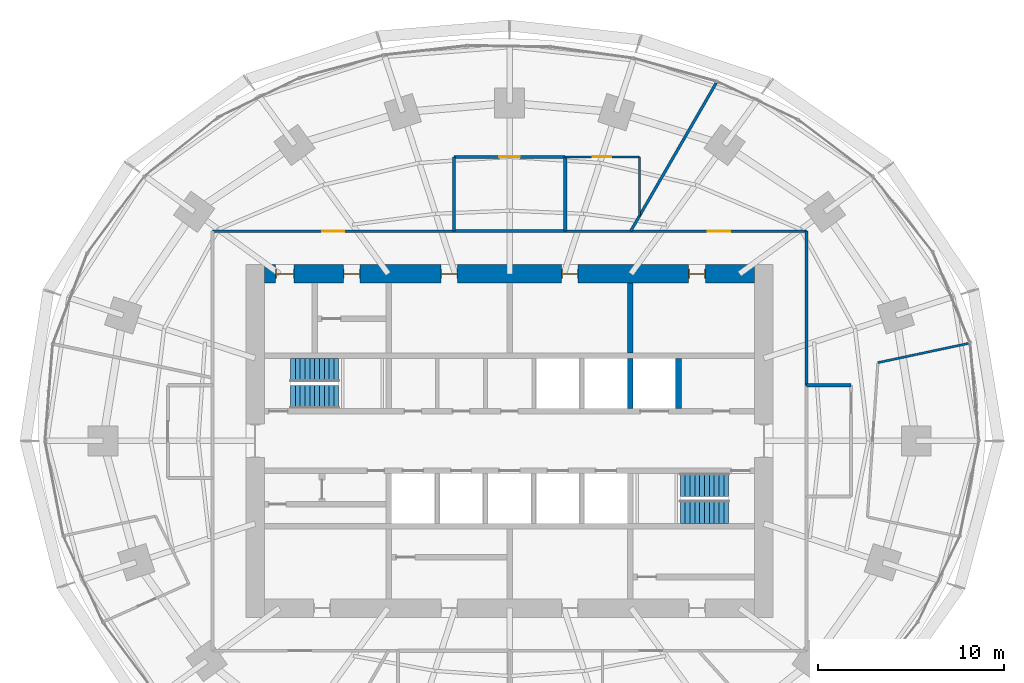
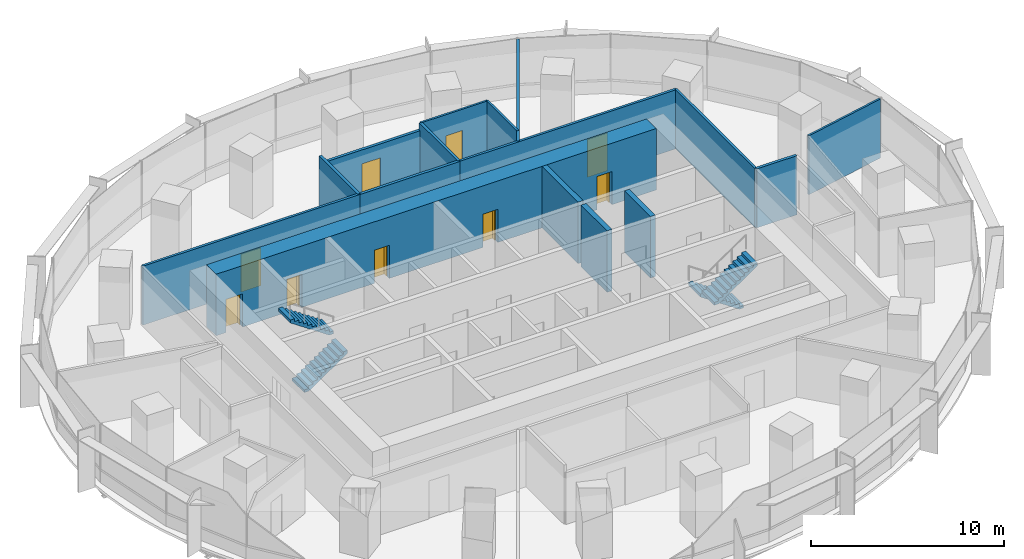
# One storey, part 12 of 14: 16 walls, 9 doors, 4 stair flights, 9 openings, 2 elements without a shape of their own.
"""IFC4 building model written with IfcOpenShell, lengths in metres."""

from ifc_helpers import new_model, si_unit, direction, frame, frame_2d, origin, place, context, subcontext, project, spatial, polyline, rectangle, outline, extrude, material, layer, layer_set, type_object, element, fill, aggregate, save


model = new_model("IFC4")

# Units and contexts
model_context = context("Model", 3, precision=1e-05, world=origin(), true_north=direction((0.0, 1.0)))
body_context = subcontext(model_context, "Body", "Model", "MODEL_VIEW")
ifc_project = project(units=[si_unit("LENGTHUNIT", "METRE"), si_unit("AREAUNIT", "SQUARE_METRE"), si_unit("VOLUMEUNIT", "CUBIC_METRE"), si_unit("PLANEANGLEUNIT", "RADIAN"), si_unit("MASSUNIT", "GRAM", prefix="KILO")], contexts=[model_context])

# Site, building, storey
site_placement = place(None, origin())
site = spatial("IfcSite", under=ifc_project, at=site_placement, CompositionType="ELEMENT")
building_placement = place(site_placement, origin())
building = spatial("IfcBuilding", under=site, at=building_placement, Name="Marramba Exchange Tower", CompositionType="ELEMENT")
storey_placement = place(building_placement, frame((0.0, 0.0, 115.800048828125)))
storey = spatial("IfcBuildingStorey", under=building, at=storey_placement, Name="L27", CompositionType="ELEMENT", Elevation=115.800048828125)

# Walls
ifc_material_1 = material(Name="Plasterboard on staggered double steel studs, acoustic insulation", Category="steel")
ifc_layer_1 = layer(ifc_material_1, 0.169921875)
ifc_layer_set_1 = layer_set([ifc_layer_1], Name="Acoustic partition 170")
wall_type_1 = type_object("IfcWallType", Name="Acoustic partition 170", PredefinedType="PARTITIONING", material=ifc_layer_set_1)
wall_1_placement = place(storey_placement, frame((18.39990234375, 3.0, 0.0), z_axis=(0.0, 0.0, 1.0), x_axis=(-1.0, 0.0, 0.0)))
element("IfcWall", 1, at=wall_1_placement, inside=storey, type_object=wall_type_1, Name="Acoustic partition L27 22", PredefinedType="PARTITIONING", context=body_context, shape_type="SweptSolid", body=[
    extrude(rectangle(XDim=2.39990234375, YDim=0.169921875, at=frame_2d((1.199951171875, 0.0))), origin(), (0.0, 0.0, 1.0), 3.739990234375),
])
wall_2_placement = place(storey_placement, frame((3.0, 15.300048828125, 0.0), z_axis=(0.0, 0.0, 1.0), x_axis=(0.0, -1.0, 0.0)))
element("IfcWall", 2, at=wall_2_placement, inside=storey, type_object=wall_type_1, Name="Acoustic partition L27 29", PredefinedType="PARTITIONING", context=body_context, shape_type="SweptSolid", body=[
    extrude(rectangle(XDim=4.0, YDim=0.169921875, at=frame_2d((2.0, 0.0))), origin(), (0.0, 0.0, 1.0), 3.739990234375),
])
wall_3_placement = place(storey_placement, frame((-3.0, 11.300048828125, 0.0), z_axis=(0.0, 0.0, 1.0), x_axis=(1.0, 0.0, 0.0)))
element("IfcWall", 3, at=wall_3_placement, inside=storey, type_object=wall_type_1, Name="Acoustic partition L27 30", PredefinedType="PARTITIONING", context=body_context, shape_type="SweptSolid", body=[
    extrude(rectangle(XDim=6.0, YDim=0.169921875, at=frame_2d((3.0, 0.0))), origin(), (0.0, 0.0, 1.0), 3.739990234375),
])

# Wall, opening, door
wall_4_placement = place(storey_placement, frame((3.0, 15.300048828125, 0.0), z_axis=(0.0, 0.0, 1.0), x_axis=(-1.0, 0.0, 0.0)))
wall_4 = element("IfcWall", 4, at=wall_4_placement, inside=storey, type_object=wall_type_1, Name="Acoustic partition L27 31", PredefinedType="PARTITIONING", context=body_context, shape_type="SweptSolid", body=[
    extrude(rectangle(XDim=6.0, YDim=0.169921875, at=frame_2d((3.0, 0.0))), origin(), (0.0, 0.0, 1.0), 3.285888671875),
])
opening_1_placement = place(wall_4_placement, frame((2.449951171875, 0.0, 0.0)))
opening_1 = element("IfcOpeningElement", 5, at=opening_1_placement, cuts=wall_4, Name="Opening D15", PredefinedType="OPENING", context=body_context, shape_type="SweptSolid", body=[
    extrude(rectangle(XDim=1.10009765625, YDim=2.39990234375, at=frame_2d((0.550048828125, 1.199951171875))), frame((0.0, 0.094970703125, 0.0), z_axis=(0.0, -1.0, 0.0), x_axis=(1.0, 0.0, 0.0)), (0.0, 0.0, 1.0), 0.18994140625),
])
ifc_material_2 = material(Name="Timber door", Category="wood")
door_type_1 = type_object("IfcDoorType", Name="Glazed meeting room door 1100x2400", OperationType="SINGLE_SWING_LEFT", PredefinedType="DOOR", material=ifc_material_2)
door_1_placement = place(opening_1_placement, origin())
door_1 = element("IfcDoor", 6, at=door_1_placement, inside=storey, type_object=door_type_1, Name="D15 Meeting Room 2 L27", OperationType="SINGLE_SWING_RIGHT", OverallHeight=2.39990234375, OverallWidth=1.10009765625, PredefinedType="DOOR", context=body_context, shape_type="SweptSolid", body=[
    extrude(rectangle(XDim=1.10009765625, YDim=2.39990234375, at=frame_2d((0.550048828125, 1.199951171875))), frame((0.0, 0.02490234375, 0.0), z_axis=(0.0, -1.0, 0.0), x_axis=(1.0, 0.0, 0.0)), (0.0, 0.0, 1.0), 0.050048828125),
])
fill(opening_1, door_1)

# Wall
wall_5_placement = place(storey_placement, frame((-3.0, 15.300048828125, 0.0), z_axis=(0.0, 0.0, 1.0), x_axis=(0.0, -1.0, 0.0)))
element("IfcWall", 7, at=wall_5_placement, inside=storey, type_object=wall_type_1, Name="Acoustic partition L27 32", PredefinedType="PARTITIONING", context=body_context, shape_type="SweptSolid", body=[
    extrude(rectangle(XDim=4.0, YDim=0.169921875, at=frame_2d((2.0, 0.0))), origin(), (0.0, 0.0, 1.0), 3.739990234375),
])

# Wall, openings, doors
ifc_material_3 = material(Name="Concrete N50", Category="concrete")
ifc_layer_2 = layer(ifc_material_3, 1.0)
ifc_layer_set_2 = layer_set([ifc_layer_2], Name="Core wall 1000")
wall_type_2 = type_object("IfcWallType", Name="Core wall 1000", PredefinedType="SHEAR", material=ifc_layer_set_2)
wall_6_placement = place(storey_placement, frame((13.199951171875, 9.0, 0.0), z_axis=(0.0, 0.0, 1.0), x_axis=(-1.0, 0.0, 0.0)))
wall_6 = element("IfcWall", 8, at=wall_6_placement, inside=storey, type_object=wall_type_2, Name="Core wall N L27", PredefinedType="SHEAR", context=body_context, shape_type="SweptSolid", body=[
    extrude(rectangle(XDim=26.39990234375, YDim=1.0, at=frame_2d((13.199951171875, 0.0))), origin(), (0.0, 0.0, 1.0), 3.89990234375),
])
opening_2_placement = place(wall_6_placement, frame((2.64990234375, 0.0, 0.0)))
opening_2 = element("IfcOpeningElement", 9, at=opening_2_placement, cuts=wall_6, Name="Opening D5", PredefinedType="OPENING", context=body_context, shape_type="SweptSolid", body=[
    extrude(rectangle(XDim=0.89990234375, YDim=2.10009765625, at=frame_2d((0.449951171875, 1.050048828125))), frame((0.0, 0.510009765625, 0.0), z_axis=(0.0, -1.0, 0.0), x_axis=(1.0, 0.0, 0.0)), (0.0, 0.0, 1.0), 1.02001953125),
])
opening_3_placement = place(wall_6_placement, frame((9.5, 0.0, 0.0)))
opening_3 = element("IfcOpeningElement", 10, at=opening_3_placement, cuts=wall_6, Name="Opening D3", PredefinedType="OPENING", context=body_context, shape_type="SweptSolid", body=[
    extrude(rectangle(XDim=0.89990234375, YDim=2.10009765625, at=frame_2d((0.449951171875, 1.050048828125))), frame((0.0, 0.510009765625, 0.0), z_axis=(0.0, -1.0, 0.0), x_axis=(1.0, 0.0, 0.0)), (0.0, 0.0, 1.0), 1.02001953125),
])
opening_4_placement = place(wall_6_placement, frame((16.0, 0.0, 0.0)))
opening_4 = element("IfcOpeningElement", 11, at=opening_4_placement, cuts=wall_6, Name="Opening D3", PredefinedType="OPENING", context=body_context, shape_type="SweptSolid", body=[
    extrude(rectangle(XDim=0.89990234375, YDim=2.10009765625, at=frame_2d((0.449951171875, 1.050048828125))), frame((0.0, 0.510009765625, 0.0), z_axis=(0.0, -1.0, 0.0), x_axis=(1.0, 0.0, 0.0)), (0.0, 0.0, 1.0), 1.02001953125),
])
opening_5_placement = place(wall_6_placement, frame((21.25, 0.0, 0.0)))
opening_5 = element("IfcOpeningElement", 12, at=opening_5_placement, cuts=wall_6, Name="Opening D5", PredefinedType="OPENING", context=body_context, shape_type="SweptSolid", body=[
    extrude(rectangle(XDim=0.89990234375, YDim=2.10009765625, at=frame_2d((0.449951171875, 1.050048828125))), frame((0.0, 0.510009765625, 0.0), z_axis=(0.0, -1.0, 0.0), x_axis=(1.0, 0.0, 0.0)), (0.0, 0.0, 1.0), 1.02001953125),
])
opening_6_placement = place(wall_6_placement, frame((24.800048828125, 0.0, 0.0)))
opening_6 = element("IfcOpeningElement", 13, at=opening_6_placement, cuts=wall_6, Name="Opening D4", PredefinedType="OPENING", context=body_context, shape_type="SweptSolid", body=[
    extrude(rectangle(XDim=1.0, YDim=2.10009765625, at=frame_2d((0.5, 1.050048828125))), frame((0.0, 0.510009765625, 0.0), z_axis=(0.0, -1.0, 0.0), x_axis=(1.0, 0.0, 0.0)), (0.0, 0.0, 1.0), 1.02001953125),
])
ifc_material_4 = material(Name="Steel-framed door", Category="steel")
door_type_2 = type_object("IfcDoorType", Name="Accessible toilet door 1000x2100", OperationType="SINGLE_SWING_LEFT", PredefinedType="DOOR", material=ifc_material_4)
door_2_placement = place(opening_6_placement, origin())
door_2 = element("IfcDoor", 14, at=door_2_placement, inside=storey, type_object=door_type_2, Name="D4 awc L27", OperationType="SINGLE_SWING_RIGHT", OverallHeight=2.10009765625, OverallWidth=1.0, PredefinedType="DOOR", context=body_context, shape_type="SweptSolid", body=[
    extrude(rectangle(XDim=0.919921875, YDim=2.06005859375, at=frame_2d((0.5, 1.030029296875))), frame((0.0, 0.02490234375, 0.0), z_axis=(0.0, -1.0, 0.0), x_axis=(1.0, 0.0, 0.0)), (0.0, 0.0, 1.0), 0.050048828125),
    extrude(rectangle(XDim=0.04, YDim=2.10009765625, at=frame_2d((0.02001953125, 1.050048828125))), frame((0.0, 0.25, 0.0), z_axis=(0.0, -1.0, 0.0), x_axis=(1.0, 0.0, 0.0)), (0.0, 0.0, 1.0), 0.5),
    extrude(rectangle(XDim=0.04, YDim=2.10009765625, at=frame_2d((0.97998046875, 1.050048828125))), frame((0.0, 0.25, 0.0), z_axis=(0.0, -1.0, 0.0), x_axis=(1.0, 0.0, 0.0)), (0.0, 0.0, 1.0), 0.5),
    extrude(rectangle(XDim=0.919921875, YDim=0.04, at=frame_2d((0.5, 2.080078125))), frame((0.0, 0.25, 0.0), z_axis=(0.0, -1.0, 0.0), x_axis=(1.0, 0.0, 0.0)), (0.0, 0.0, 1.0), 0.5),
])
fill(opening_6, door_2)
door_type_3 = type_object("IfcDoorType", Name="Service door 900x2100", OperationType="SINGLE_SWING_LEFT", PredefinedType="DOOR", material=ifc_material_4)
door_3_placement = place(opening_2_placement, origin())
door_3 = element("IfcDoor", 15, at=door_3_placement, inside=storey, type_object=door_type_3, Name="D5 comms L27", OperationType="SINGLE_SWING_LEFT", OverallHeight=2.10009765625, OverallWidth=0.89990234375, PredefinedType="DOOR", context=body_context, shape_type="SweptSolid", body=[
    extrude(rectangle(XDim=0.81982421875, YDim=2.06005859375, at=frame_2d((0.449951171875, 1.030029296875))), frame((0.0, 0.02490234375, 0.0), z_axis=(0.0, -1.0, 0.0), x_axis=(1.0, 0.0, 0.0)), (0.0, 0.0, 1.0), 0.050048828125),
    extrude(rectangle(XDim=0.04, YDim=2.10009765625, at=frame_2d((0.02001953125, 1.050048828125))), frame((0.0, 0.25, 0.0), z_axis=(0.0, -1.0, 0.0), x_axis=(1.0, 0.0, 0.0)), (0.0, 0.0, 1.0), 0.5),
    extrude(rectangle(XDim=0.04, YDim=2.10009765625, at=frame_2d((0.8798828125, 1.050048828125))), frame((0.0, 0.25, 0.0), z_axis=(0.0, -1.0, 0.0), x_axis=(1.0, 0.0, 0.0)), (0.0, 0.0, 1.0), 0.5),
    extrude(rectangle(XDim=0.81982421875, YDim=0.04, at=frame_2d((0.449951171875, 2.080078125))), frame((0.0, 0.25, 0.0), z_axis=(0.0, -1.0, 0.0), x_axis=(1.0, 0.0, 0.0)), (0.0, 0.0, 1.0), 0.5),
])
fill(opening_2, door_3)
door_4_placement = place(opening_5_placement, origin())
door_4 = element("IfcDoor", 16, at=door_4_placement, inside=storey, type_object=door_type_3, Name="D5 cleaner L27", OperationType="SINGLE_SWING_RIGHT", OverallHeight=2.10009765625, OverallWidth=0.89990234375, PredefinedType="DOOR", context=body_context, shape_type="SweptSolid", body=[
    extrude(rectangle(XDim=0.81982421875, YDim=2.06005859375, at=frame_2d((0.449951171875, 1.030029296875))), frame((0.0, 0.02490234375, 0.0), z_axis=(0.0, -1.0, 0.0), x_axis=(1.0, 0.0, 0.0)), (0.0, 0.0, 1.0), 0.050048828125),
    extrude(rectangle(XDim=0.04, YDim=2.10009765625, at=frame_2d((0.02001953125, 1.050048828125))), frame((0.0, 0.25, 0.0), z_axis=(0.0, -1.0, 0.0), x_axis=(1.0, 0.0, 0.0)), (0.0, 0.0, 1.0), 0.5),
    extrude(rectangle(XDim=0.04, YDim=2.10009765625, at=frame_2d((0.8798828125, 1.050048828125))), frame((0.0, 0.25, 0.0), z_axis=(0.0, -1.0, 0.0), x_axis=(1.0, 0.0, 0.0)), (0.0, 0.0, 1.0), 0.5),
    extrude(rectangle(XDim=0.81982421875, YDim=0.04, at=frame_2d((0.449951171875, 2.080078125))), frame((0.0, 0.25, 0.0), z_axis=(0.0, -1.0, 0.0), x_axis=(1.0, 0.0, 0.0)), (0.0, 0.0, 1.0), 0.5),
])
fill(opening_5, door_4)
door_type_4 = type_object("IfcDoorType", Name="Toilet door 900x2100", OperationType="SINGLE_SWING_LEFT", PredefinedType="DOOR", material=ifc_material_4)
door_5_placement = place(opening_3_placement, origin())
door_5 = element("IfcDoor", 17, at=door_5_placement, inside=storey, type_object=door_type_4, Name="D3 wc-f L27", OperationType="SINGLE_SWING_RIGHT", OverallHeight=2.10009765625, OverallWidth=0.89990234375, PredefinedType="DOOR", context=body_context, shape_type="SweptSolid", body=[
    extrude(rectangle(XDim=0.81982421875, YDim=2.06005859375, at=frame_2d((0.449951171875, 1.030029296875))), frame((0.0, 0.02490234375, 0.0), z_axis=(0.0, -1.0, 0.0), x_axis=(1.0, 0.0, 0.0)), (0.0, 0.0, 1.0), 0.050048828125),
    extrude(rectangle(XDim=0.04, YDim=2.10009765625, at=frame_2d((0.02001953125, 1.050048828125))), frame((0.0, 0.25, 0.0), z_axis=(0.0, -1.0, 0.0), x_axis=(1.0, 0.0, 0.0)), (0.0, 0.0, 1.0), 0.5),
    extrude(rectangle(XDim=0.04, YDim=2.10009765625, at=frame_2d((0.8798828125, 1.050048828125))), frame((0.0, 0.25, 0.0), z_axis=(0.0, -1.0, 0.0), x_axis=(1.0, 0.0, 0.0)), (0.0, 0.0, 1.0), 0.5),
    extrude(rectangle(XDim=0.81982421875, YDim=0.04, at=frame_2d((0.449951171875, 2.080078125))), frame((0.0, 0.25, 0.0), z_axis=(0.0, -1.0, 0.0), x_axis=(1.0, 0.0, 0.0)), (0.0, 0.0, 1.0), 0.5),
])
fill(opening_3, door_5)
door_6_placement = place(opening_4_placement, origin())
door_6 = element("IfcDoor", 18, at=door_6_placement, inside=storey, type_object=door_type_4, Name="D3 wc-m L27", OperationType="SINGLE_SWING_RIGHT", OverallHeight=2.10009765625, OverallWidth=0.89990234375, PredefinedType="DOOR", context=body_context, shape_type="SweptSolid", body=[
    extrude(rectangle(XDim=0.81982421875, YDim=2.06005859375, at=frame_2d((0.449951171875, 1.030029296875))), frame((0.0, 0.02490234375, 0.0), z_axis=(0.0, -1.0, 0.0), x_axis=(1.0, 0.0, 0.0)), (0.0, 0.0, 1.0), 0.050048828125),
    extrude(rectangle(XDim=0.04, YDim=2.10009765625, at=frame_2d((0.02001953125, 1.050048828125))), frame((0.0, 0.25, 0.0), z_axis=(0.0, -1.0, 0.0), x_axis=(1.0, 0.0, 0.0)), (0.0, 0.0, 1.0), 0.5),
    extrude(rectangle(XDim=0.04, YDim=2.10009765625, at=frame_2d((0.8798828125, 1.050048828125))), frame((0.0, 0.25, 0.0), z_axis=(0.0, -1.0, 0.0), x_axis=(1.0, 0.0, 0.0)), (0.0, 0.0, 1.0), 0.5),
    extrude(rectangle(XDim=0.81982421875, YDim=0.04, at=frame_2d((0.449951171875, 2.080078125))), frame((0.0, 0.25, 0.0), z_axis=(0.0, -1.0, 0.0), x_axis=(1.0, 0.0, 0.0)), (0.0, 0.0, 1.0), 0.5),
])
fill(opening_4, door_6)

# Walls
ifc_layer_3 = layer(ifc_material_3, 0.300048828125)
ifc_layer_set_3 = layer_set([ifc_layer_3], Name="Core wall 300")
wall_type_3 = type_object("IfcWallType", Name="Core wall 300", PredefinedType="SHEAR", material=ifc_layer_set_3)
wall_7_placement = place(storey_placement, frame((6.5, 1.75, 0.0), z_axis=(0.0, 0.0, 1.0), x_axis=(0.0, 1.0, 0.0)))
element("IfcWall", 19, at=wall_7_placement, inside=storey, type_object=wall_type_3, Name="Core wall X1Na L27", PredefinedType="SHEAR", context=body_context, shape_type="SweptSolid", body=[
    extrude(rectangle(XDim=2.699951171875, YDim=0.300048828125, at=frame_2d((1.35009765625, 0.0))), origin(), (0.0, 0.0, 1.0), 3.89990234375),
])
wall_8_placement = place(storey_placement, frame((6.5, 4.75, 0.0), z_axis=(0.0, 0.0, 1.0), x_axis=(0.0, 1.0, 0.0)))
element("IfcWall", 20, at=wall_8_placement, inside=storey, type_object=wall_type_3, Name="Core wall X1Nb L27", PredefinedType="SHEAR", context=body_context, shape_type="SweptSolid", body=[
    extrude(rectangle(XDim=3.75, YDim=0.300048828125, at=frame_2d((1.875, 0.0))), origin(), (0.0, 0.0, 1.0), 3.89990234375),
])
wall_9_placement = place(storey_placement, frame((9.10009765625, 1.75, 0.0), z_axis=(0.0, 0.0, 1.0), x_axis=(0.0, 1.0, 0.0)))
element("IfcWall", 21, at=wall_9_placement, inside=storey, type_object=wall_type_3, Name="Core wall ED L27", PredefinedType="SHEAR", context=body_context, shape_type="SweptSolid", body=[
    extrude(rectangle(XDim=2.699951171875, YDim=0.300048828125, at=frame_2d((1.35009765625, 0.0))), origin(), (0.0, 0.0, 1.0), 3.89990234375),
])
ifc_material_5 = material(Name="Plasterboard on steel studs", Category="steel")
ifc_layer_4 = layer(ifc_material_5, 0.1201171875)
ifc_layer_set_4 = layer_set([ifc_layer_4], Name="Partition 120")
wall_type_4 = type_object("IfcWallType", Name="Partition 120", PredefinedType="PARTITIONING", material=ifc_layer_set_4)
wall_10_placement = place(storey_placement, frame((24.73046875, 5.256591796875, 0.0), z_axis=(0.0, 0.0, 1.0), x_axis=(-0.978149046495, -0.207904888932, 0.0)))
element("IfcWall", 22, at=wall_10_placement, inside=storey, type_object=wall_type_4, Name="Partition L27 23", PredefinedType="PARTITIONING", context=body_context, shape_type="SweptSolid", body=[
    extrude(rectangle(XDim=5.000244140625, YDim=0.1201171875, at=frame_2d((2.5, 0.0))), origin(), (0.0, 0.0, 1.0), 3.739990234375),
])
wall_11_placement = place(storey_placement, frame((7.0, 12.124267578125, 0.0), z_axis=(0.0, 0.0, 1.0), x_axis=(0.0, 1.0, 0.0)))
element("IfcWall", 23, at=wall_11_placement, inside=storey, type_object=wall_type_4, Name="Partition L27 27", PredefinedType="PARTITIONING", context=body_context, shape_type="SweptSolid", body=[
    extrude(rectangle(XDim=3.17578125, YDim=0.1201171875, at=frame_2d((1.587890625, 0.0))), origin(), (0.0, 0.0, 1.0), 3.739990234375),
])

# Wall, opening, door
wall_12_placement = place(storey_placement, frame((7.0, 15.300048828125, 0.0), z_axis=(0.0, 0.0, 1.0), x_axis=(-1.0, 0.0, 0.0)))
wall_12 = element("IfcWall", 24, at=wall_12_placement, inside=storey, type_object=wall_type_4, Name="Partition L27 28", PredefinedType="PARTITIONING", context=body_context, shape_type="SweptSolid", body=[
    extrude(rectangle(XDim=4.0, YDim=0.1201171875, at=frame_2d((2.0, 0.0))), origin(), (0.0, 0.0, 1.0), 3.739990234375),
])
opening_7_placement = place(wall_12_placement, frame((1.52587890625, 0.0, 0.0)))
opening_7 = element("IfcOpeningElement", 25, at=opening_7_placement, cuts=wall_12, Name="Opening D9", PredefinedType="OPENING", context=body_context, shape_type="SweptSolid", body=[
    extrude(rectangle(XDim=1.0, YDim=2.39990234375, at=frame_2d((0.5, 1.199951171875))), frame((0.0, 0.070068359375, 0.0), z_axis=(0.0, -1.0, 0.0), x_axis=(1.0, 0.0, 0.0)), (0.0, 0.0, 1.0), 0.14013671875),
])
door_type_5 = type_object("IfcDoorType", Name="Room door 1000x2400", OperationType="SINGLE_SWING_LEFT", PredefinedType="DOOR", material=ifc_material_2)
door_7_placement = place(opening_7_placement, origin())
door_7 = element("IfcDoor", 26, at=door_7_placement, inside=storey, type_object=door_type_5, Name="D9 Pantry 1 L27", OperationType="SINGLE_SWING_RIGHT", OverallHeight=2.39990234375, OverallWidth=1.0, PredefinedType="DOOR", context=body_context, shape_type="SweptSolid", body=[
    extrude(rectangle(XDim=1.0, YDim=2.39990234375, at=frame_2d((0.5, 1.199951171875))), frame((0.0, 0.02490234375, 0.0), z_axis=(0.0, -1.0, 0.0), x_axis=(1.0, 0.0, 0.0)), (0.0, 0.0, 1.0), 0.050048828125),
])
fill(opening_7, door_7)

# Wall
ifc_material_6 = material(Name="Fire-rated plasterboard on steel studs, acoustic insulation", Category="steel")
ifc_layer_5 = layer(ifc_material_6, 0.14990234375)
ifc_layer_set_5 = layer_set([ifc_layer_5], Name="Tenancy wall 150")
wall_type_5 = type_object("IfcWallType", Name="Tenancy wall 150", PredefinedType="PARTITIONING", material=ifc_layer_set_5)
wall_13_placement = place(storey_placement, frame((16.0, 3.0, 0.0), z_axis=(0.0, 0.0, 1.0), x_axis=(0.0, 1.0, 0.0)))
element("IfcWall", 27, at=wall_13_placement, inside=storey, type_object=wall_type_5, Name="Tenancy wall L27 24", PredefinedType="PARTITIONING", context=body_context, shape_type="SweptSolid", body=[
    extrude(rectangle(XDim=8.300048828125, YDim=0.14990234375, at=frame_2d((4.14990234375, 0.0))), origin(), (0.0, 0.0, 1.0), 3.739990234375),
])

# Wall, opening, door
wall_14_placement = place(storey_placement, frame((16.0, 11.300048828125, 0.0), z_axis=(0.0, 0.0, 1.0), x_axis=(-1.0, 0.0, 0.0)))
wall_14 = element("IfcWall", 28, at=wall_14_placement, inside=storey, type_object=wall_type_5, Name="Tenancy wall L27 25", PredefinedType="PARTITIONING", context=body_context, shape_type="SweptSolid", body=[
    extrude(rectangle(XDim=13.0, YDim=0.14990234375, at=frame_2d((6.5, 0.0))), origin(), (0.0, 0.0, 1.0), 3.739990234375),
])
opening_8_placement = place(wall_14_placement, frame((4.113037109375, 0.0, 0.0)))
opening_8 = element("IfcOpeningElement", 29, at=opening_8_placement, cuts=wall_14, Name="Opening D13", PredefinedType="OPENING", context=body_context, shape_type="SweptSolid", body=[
    extrude(rectangle(XDim=1.199951171875, YDim=2.39990234375, at=frame_2d((0.60009765625, 1.199951171875))), frame((0.0, 0.0849609375, 0.0), z_axis=(0.0, -1.0, 0.0), x_axis=(1.0, 0.0, 0.0)), (0.0, 0.0, 1.0), 0.169921875),
])
door_type_6 = type_object("IfcDoorType", Name="Tenancy entry door 1200x2400", OperationType="SINGLE_SWING_LEFT", PredefinedType="DOOR", material=ifc_material_4)
door_8_placement = place(opening_8_placement, origin())
door_8 = element("IfcDoor", 30, at=door_8_placement, inside=storey, type_object=door_type_6, Name="D13 Office 1 L27", OperationType="SINGLE_SWING_LEFT", OverallHeight=2.39990234375, OverallWidth=1.199951171875, PredefinedType="DOOR", context=body_context, shape_type="SweptSolid", body=[
    extrude(rectangle(XDim=1.199951171875, YDim=2.39990234375, at=frame_2d((0.60009765625, 1.199951171875))), frame((0.0, 0.02490234375, 0.0), z_axis=(0.0, -1.0, 0.0), x_axis=(1.0, 0.0, 0.0)), (0.0, 0.0, 1.0), 0.050048828125),
])
fill(opening_8, door_8)

# Wall
wall_15_placement = place(storey_placement, frame((6.524169921875, 11.300048828125, 0.0), z_axis=(0.0, 0.0, 1.0), x_axis=(0.499995827671, 0.866027812666, 0.0)))
element("IfcWall", 31, at=wall_15_placement, inside=storey, type_object=wall_type_5, Name="Tenancy wall L27 26", PredefinedType="PARTITIONING", context=body_context, shape_type="SweptSolid", body=[
    extrude(rectangle(XDim=9.22509765625, YDim=0.14990234375, at=frame_2d((4.612548828125, 0.0))), origin(), (0.0, 0.0, 1.0), 3.739990234375),
])

# Wall, opening, door
wall_16_placement = place(storey_placement, frame((-3.0, 11.300048828125, 0.0), z_axis=(0.0, 0.0, 1.0), x_axis=(-1.0, 0.0, 0.0)))
wall_16 = element("IfcWall", 32, at=wall_16_placement, inside=storey, type_object=wall_type_5, Name="Tenancy wall L27 33", PredefinedType="PARTITIONING", context=body_context, shape_type="SweptSolid", body=[
    extrude(rectangle(XDim=13.0, YDim=0.14990234375, at=frame_2d((6.5, 0.0))), origin(), (0.0, 0.0, 1.0), 3.739990234375),
])
opening_9_placement = place(wall_16_placement, frame((5.89990234375, 0.0, 0.0)))
opening_9 = element("IfcOpeningElement", 33, at=opening_9_placement, cuts=wall_16, Name="Opening D13", PredefinedType="OPENING", context=body_context, shape_type="SweptSolid", body=[
    extrude(rectangle(XDim=1.199951171875, YDim=2.39990234375, at=frame_2d((0.60009765625, 1.199951171875))), frame((0.0, 0.0849609375, 0.0), z_axis=(0.0, -1.0, 0.0), x_axis=(1.0, 0.0, 0.0)), (0.0, 0.0, 1.0), 0.169921875),
])
door_9_placement = place(opening_9_placement, origin())
door_9 = element("IfcDoor", 34, at=door_9_placement, inside=storey, type_object=door_type_6, Name="D13 Office 2 L27", OperationType="SINGLE_SWING_RIGHT", OverallHeight=2.39990234375, OverallWidth=1.199951171875, PredefinedType="DOOR", context=body_context, shape_type="SweptSolid", body=[
    extrude(rectangle(XDim=1.199951171875, YDim=2.39990234375, at=frame_2d((0.60009765625, 1.199951171875))), frame((0.0, 0.02490234375, 0.0), z_axis=(0.0, -1.0, 0.0), x_axis=(1.0, 0.0, 0.0)), (0.0, 0.0, 1.0), 0.050048828125),
])
fill(opening_9, door_9)

# Stair, stair flights
ifc_material_7 = material(Name="Concrete N40 (40 MPa)", Category="concrete")
stair_type_1 = type_object("IfcStairType", Name="Exit stair ST1 3900 x 1250", PredefinedType="HALF_TURN_STAIR", material=ifc_material_7)
stair_1_placement = place(storey_placement, origin())
stair_1 = element("IfcStair", 35, at=stair_1_placement, inside=storey, type_object=stair_type_1, Name="Exit stair ST1 L27", PredefinedType="HALF_TURN_STAIR")
stair_flight_type_1 = type_object("IfcStairFlightType", Name="ST1 stair flight 1773 riser 1250 wide", PredefinedType="STRAIGHT", material=ifc_material_7)
stair_flight_1_placement = place(storey_placement, frame((-11.800048828125, 2.375, 0.0), z_axis=(0.0, 0.0, 1.0), x_axis=(1.0, 0.0, 0.0)))
stair_flight_1 = element("IfcStairFlight", 36, at=stair_flight_1_placement, type_object=stair_flight_type_1, Name="ST1 flight 1", NumberOfRisers=11, NumberOfTreads=10, PredefinedType="STRAIGHT", RiserHeight=0.177272727, TreadLength=0.26, context=body_context, shape_type="SweptSolid", body=[
    extrude(outline(polyline([(0.0, 0.0), (0.0, 0.17724609375), (0.260009765625, 0.17724609375), (0.260009765625, 0.3544921875), (0.52001953125, 0.3544921875), (0.52001953125, 0.53173828125), (0.780029296875, 0.53173828125), (0.780029296875, 0.708984375), (1.0400390625, 0.708984375), (1.0400390625, 0.886474609375), (1.300048828125, 0.886474609375), (1.300048828125, 1.063720703125), (1.56005859375, 1.063720703125), (1.56005859375, 1.240966796875), (1.820068359375, 1.240966796875), (1.820068359375, 1.418212890625), (2.080078125, 1.418212890625), (2.080078125, 1.595458984375), (2.340087890625, 1.595458984375), (2.340087890625, 1.772705078125), (2.60009765625, 1.772705078125), (2.60009765625, 1.949951171875), (2.60009765625, 1.59130859375), (0.26611328125, 0.0), (0.0, 0.0)])), frame((0.0, 0.625, 0.0), z_axis=(0.0, -1.0, 0.0), x_axis=(1.0, 0.0, 0.0)), (0.0, 0.0, 1.0), 1.25),
])
stair_flight_2_placement = place(storey_placement, frame((-9.199951171875, 3.824951171875, 1.949951171875), z_axis=(0.0, 0.0, 1.0), x_axis=(-1.0, 0.0, 0.0)))
stair_flight_2 = element("IfcStairFlight", 37, at=stair_flight_2_placement, type_object=stair_flight_type_1, Name="ST1 flight 2", NumberOfRisers=11, NumberOfTreads=10, PredefinedType="STRAIGHT", RiserHeight=0.177272727, TreadLength=0.26, context=body_context, shape_type="SweptSolid", body=[
    extrude(outline(polyline([(0.0, 0.0), (0.0, 0.17724609375), (0.260009765625, 0.17724609375), (0.260009765625, 0.3544921875), (0.52001953125, 0.3544921875), (0.52001953125, 0.53173828125), (0.780029296875, 0.53173828125), (0.780029296875, 0.708984375), (1.0400390625, 0.708984375), (1.0400390625, 0.886474609375), (1.300048828125, 0.886474609375), (1.300048828125, 1.063720703125), (1.56005859375, 1.063720703125), (1.56005859375, 1.240966796875), (1.820068359375, 1.240966796875), (1.820068359375, 1.418212890625), (2.080078125, 1.418212890625), (2.080078125, 1.595458984375), (2.340087890625, 1.595458984375), (2.340087890625, 1.772705078125), (2.60009765625, 1.772705078125), (2.60009765625, 1.949951171875), (2.60009765625, 1.59130859375), (0.26611328125, 0.0), (0.0, 0.0)])), frame((0.0, 0.625, 0.0), z_axis=(0.0, -1.0, 0.0), x_axis=(1.0, 0.0, 0.0)), (0.0, 0.0, 1.0), 1.25),
])
aggregate(stair_1, [stair_flight_1, stair_flight_2])

stair_type_2 = type_object("IfcStairType", Name="Exit stair ST2 3900 x 1250", PredefinedType="HALF_TURN_STAIR", material=ifc_material_7)
stair_2_placement = place(storey_placement, origin())
stair_2 = element("IfcStair", 38, at=stair_2_placement, inside=storey, type_object=stair_type_2, Name="Exit stair ST2 L27", PredefinedType="HALF_TURN_STAIR")
stair_flight_type_2 = type_object("IfcStairFlightType", Name="ST2 stair flight 1773 riser 1250 wide", PredefinedType="STRAIGHT", material=ifc_material_7)
stair_flight_3_placement = place(storey_placement, frame((11.800048828125, -2.375, 0.0), z_axis=(0.0, 0.0, 1.0), x_axis=(-1.0, 0.0, 0.0)))
stair_flight_3 = element("IfcStairFlight", 39, at=stair_flight_3_placement, type_object=stair_flight_type_2, Name="ST2 flight 1", NumberOfRisers=11, NumberOfTreads=10, PredefinedType="STRAIGHT", RiserHeight=0.177272727, TreadLength=0.26, context=body_context, shape_type="SweptSolid", body=[
    extrude(outline(polyline([(0.0, 0.0), (0.0, 0.17724609375), (0.260009765625, 0.17724609375), (0.260009765625, 0.3544921875), (0.52001953125, 0.3544921875), (0.52001953125, 0.53173828125), (0.780029296875, 0.53173828125), (0.780029296875, 0.708984375), (1.0400390625, 0.708984375), (1.0400390625, 0.886474609375), (1.300048828125, 0.886474609375), (1.300048828125, 1.063720703125), (1.56005859375, 1.063720703125), (1.56005859375, 1.240966796875), (1.820068359375, 1.240966796875), (1.820068359375, 1.418212890625), (2.080078125, 1.418212890625), (2.080078125, 1.595458984375), (2.340087890625, 1.595458984375), (2.340087890625, 1.772705078125), (2.60009765625, 1.772705078125), (2.60009765625, 1.949951171875), (2.60009765625, 1.59130859375), (0.26611328125, 0.0), (0.0, 0.0)])), frame((0.0, 0.625, 0.0), z_axis=(0.0, -1.0, 0.0), x_axis=(1.0, 0.0, 0.0)), (0.0, 0.0, 1.0), 1.25),
])
stair_flight_4_placement = place(storey_placement, frame((9.199951171875, -3.824951171875, 1.949951171875), z_axis=(0.0, 0.0, 1.0), x_axis=(1.0, 0.0, 0.0)))
stair_flight_4 = element("IfcStairFlight", 40, at=stair_flight_4_placement, type_object=stair_flight_type_2, Name="ST2 flight 2", NumberOfRisers=11, NumberOfTreads=10, PredefinedType="STRAIGHT", RiserHeight=0.177272727, TreadLength=0.26, context=body_context, shape_type="SweptSolid", body=[
    extrude(outline(polyline([(0.0, 0.0), (0.0, 0.17724609375), (0.260009765625, 0.17724609375), (0.260009765625, 0.3544921875), (0.52001953125, 0.3544921875), (0.52001953125, 0.53173828125), (0.780029296875, 0.53173828125), (0.780029296875, 0.708984375), (1.0400390625, 0.708984375), (1.0400390625, 0.886474609375), (1.300048828125, 0.886474609375), (1.300048828125, 1.063720703125), (1.56005859375, 1.063720703125), (1.56005859375, 1.240966796875), (1.820068359375, 1.240966796875), (1.820068359375, 1.418212890625), (2.080078125, 1.418212890625), (2.080078125, 1.595458984375), (2.340087890625, 1.595458984375), (2.340087890625, 1.772705078125), (2.60009765625, 1.772705078125), (2.60009765625, 1.949951171875), (2.60009765625, 1.59130859375), (0.26611328125, 0.0), (0.0, 0.0)])), frame((0.0, 0.625, 0.0), z_axis=(0.0, -1.0, 0.0), x_axis=(1.0, 0.0, 0.0)), (0.0, 0.0, 1.0), 1.25),
])
aggregate(stair_2, [stair_flight_3, stair_flight_4])

save(model, "model.ifc")
